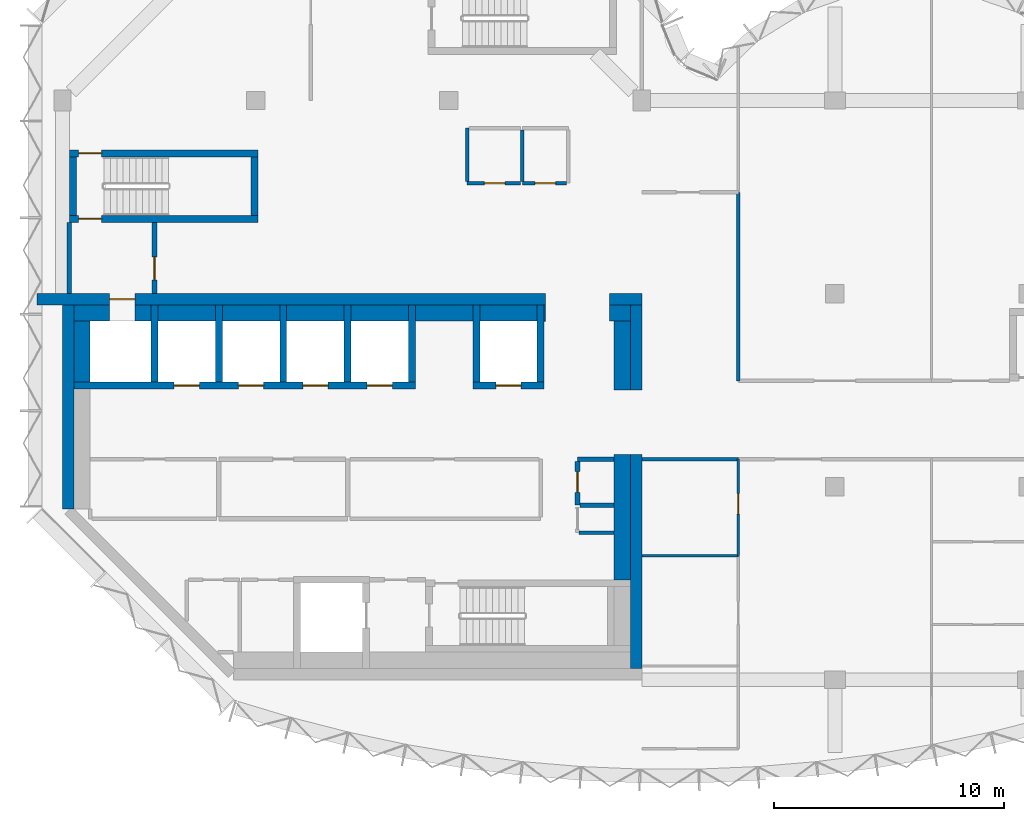
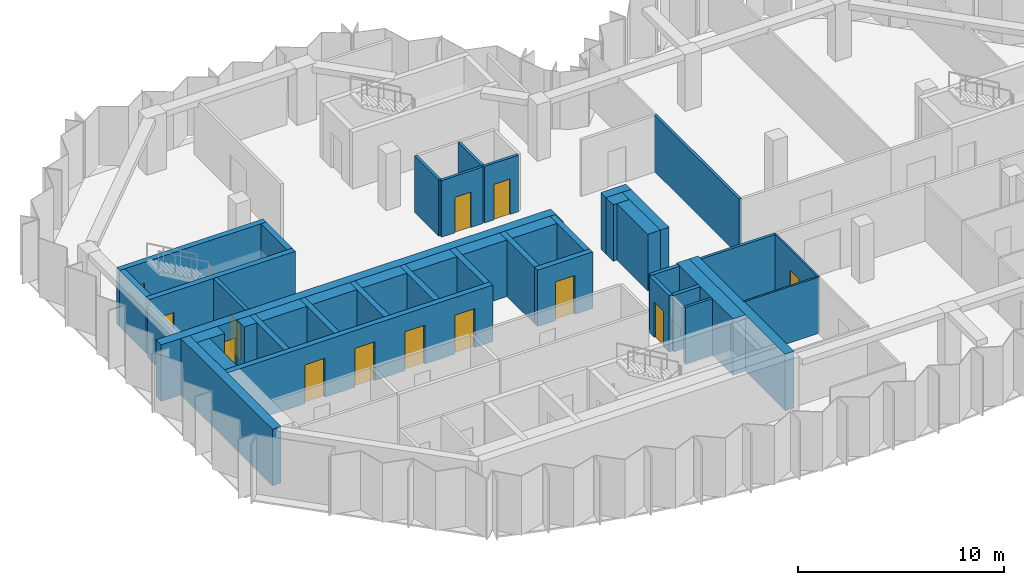
# One storey, part 5 of 9: 45 walls, 13 doors, 13 openings.
"""IFC4 building model written with IfcOpenShell, lengths in metres."""

from ifc_helpers import new_model, si_unit, direction, frame, frame_2d, origin, place, context, subcontext, project, spatial, rectangle, extrude, material, layer, layer_set, type_object, element, fill, save


model = new_model("IFC4")

# Units and contexts
model_context = context("Model", 3, precision=1e-05, world=origin(), true_north=direction((0.0, 1.0)))
body_context = subcontext(model_context, "Body", "Model", "MODEL_VIEW")
ifc_project = project(units=[si_unit("LENGTHUNIT", "METRE"), si_unit("AREAUNIT", "SQUARE_METRE"), si_unit("VOLUMEUNIT", "CUBIC_METRE"), si_unit("PLANEANGLEUNIT", "RADIAN"), si_unit("MASSUNIT", "GRAM", prefix="KILO")], contexts=[model_context])

# Site, building, storey
site_placement = place(None, origin())
site = spatial("IfcSite", under=ifc_project, at=site_placement, CompositionType="ELEMENT")
building_placement = place(site_placement, origin())
building = spatial("IfcBuilding", under=site, at=building_placement, Name="Brevane Broadcast Tower", CompositionType="ELEMENT")
storey_placement = place(building_placement, frame((0.0, 0.0, 226.5)))
storey = spatial("IfcBuildingStorey", under=building, at=storey_placement, Name="L57", CompositionType="ELEMENT", Elevation=226.5)

# Walls
ifc_material_1 = material(Name="Concrete C32/40", Category="concrete")
ifc_layer_1 = layer(ifc_material_1, 0.699951171875)
ifc_layer_set_1 = layer_set([ifc_layer_1], Name="Core chase wall 700 mm")
wall_type_1 = type_object("IfcWallType", Name="Core chase wall 700 mm", PredefinedType="PARTITIONING", material=ifc_layer_set_1)
wall_1_placement = place(storey_placement, frame((24.35009765625, 12.60009765625, 0.0), z_axis=(0.0, 0.0, 1.0), x_axis=(0.0, 1.0, 0.0)))
element("IfcWall", 1, at=wall_1_placement, inside=storey, type_object=wall_type_1, Name="L57 chase wall LE2", PredefinedType="PARTITIONING", context=body_context, shape_type="SweptSolid", body=[
    extrude(rectangle(XDim=3.0, YDim=0.699951171875, at=frame_2d((1.5, 0.0))), origin(), (0.0, 0.0, 1.0), 3.35009765625),
])
wall_2_placement = place(storey_placement, frame((0.5, 15.949951171875, 0.0), z_axis=(0.0, 0.0, 1.0), x_axis=(1.0, 0.0, 0.0)))
element("IfcWall", 2, at=wall_2_placement, inside=storey, type_object=wall_type_1, Name="L57 chase wall LN0", PredefinedType="PARTITIONING", context=body_context, shape_type="SweptSolid", body=[
    extrude(rectangle(XDim=1.550048828125, YDim=0.699951171875, at=frame_2d((0.77490234375, 0.0))), origin(), (0.0, 0.0, 1.0), 3.35009765625),
])
wall_3_placement = place(storey_placement, frame((23.800048828125, 15.949951171875, 0.0), z_axis=(0.0, 0.0, 1.0), x_axis=(1.0, 0.0, 0.0)))
element("IfcWall", 3, at=wall_3_placement, inside=storey, type_object=wall_type_1, Name="L57 chase wall LN2", PredefinedType="PARTITIONING", context=body_context, shape_type="SweptSolid", body=[
    extrude(rectangle(XDim=0.89990234375, YDim=0.699951171875, at=frame_2d((0.449951171875, 0.0))), origin(), (0.0, 0.0, 1.0), 3.35009765625),
])
wall_4_placement = place(storey_placement, frame((0.85009765625, 12.949951171875, 0.0), z_axis=(0.0, 0.0, 1.0), x_axis=(0.0, 1.0, 0.0)))
element("IfcWall", 4, at=wall_4_placement, inside=storey, type_object=wall_type_1, Name="L57 chase wall LW-2", PredefinedType="PARTITIONING", context=body_context, shape_type="SweptSolid", body=[
    extrude(rectangle(XDim=2.650146484375, YDim=0.699951171875, at=frame_2d((1.3251953125, 0.0))), origin(), (0.0, 0.0, 1.0), 3.35009765625),
])
wall_5_placement = place(storey_placement, frame((3.14990234375, 15.949951171875, 0.0), z_axis=(0.0, 0.0, 1.0), x_axis=(1.0, 0.0, 0.0)))
element("IfcWall", 5, at=wall_5_placement, inside=storey, type_object=wall_type_1, Name="L57 chase wall LN1-1", PredefinedType="PARTITIONING", context=body_context, shape_type="SweptSolid", body=[
    extrude(rectangle(XDim=0.7001953125, YDim=0.699951171875, at=frame_2d((0.35009765625, 0.0))), origin(), (0.0, 0.0, 1.0), 3.35009765625),
])
for number, where, z_axis, x_axis, name in (
    (6, (4.14990234375, 15.949951171875, 0.0), (0.0, 0.0, 1.0), (1.0, 0.0, 0.0), "L57 chase wall LN1-2-1"),
    (7, (6.949951171875, 15.949951171875, 0.0), (0.0, 0.0, 1.0), (1.0, 0.0, 0.0), "L57 chase wall LN1-2-2-1"),
    (8, (9.75, 15.949951171875, 0.0), (0.0, 0.0, 1.0), (1.0, 0.0, 0.0), "L57 chase wall LN1-2-2-2-1"),
    (9, (12.550048828125, 15.949951171875, 0.0), (0.0, 0.0, 1.0), (1.0, 0.0, 0.0), "L57 chase wall LN1-2-2-2-2-1"),
    (10, (15.35009765625, 15.949951171875, 0.0), (0.0, 0.0, 1.0), (1.0, 0.0, 0.0), "L57 chase wall LN1-2-2-2-2-2-1"),
    (11, (18.14990234375, 15.949951171875, 0.0), (0.0, 0.0, 1.0), (1.0, 0.0, 0.0), "L57 chase wall LN1-2-2-2-2-2-2-1"),
):
    element("IfcWall", number, at=place(storey_placement, frame(where, z_axis=z_axis, x_axis=x_axis)), inside=storey, type_object=wall_type_1, Name=name, PredefinedType="PARTITIONING", context=body_context, shape_type="SweptSolid", body=[
        extrude(rectangle(XDim=2.5, YDim=0.699951171875, at=frame_2d((1.25, 0.0))), origin(), (0.0, 0.0, 1.0), 3.35009765625),
    ])
wall_6_placement = place(storey_placement, frame((20.949951171875, 15.949951171875, 0.0), z_axis=(0.0, 0.0, 1.0), x_axis=(1.0, 0.0, 0.0)))
element("IfcWall", 12, at=wall_6_placement, inside=storey, type_object=wall_type_1, Name="L57 chase wall LN1-2-2-2-2-2-2-2", PredefinedType="PARTITIONING", context=body_context, shape_type="SweptSolid", body=[
    extrude(rectangle(XDim=0.050048828125, YDim=0.699951171875, at=frame_2d((0.02490234375, 0.0))), origin(), (0.0, 0.0, 1.0), 3.35009765625),
])
wall_7_placement = place(storey_placement, frame((24.35009765625, 4.35009765625, 0.0), z_axis=(0.0, 0.0, 1.0), x_axis=(0.0, 1.0, 0.0)))
element("IfcWall", 13, at=wall_7_placement, inside=storey, type_object=wall_type_1, Name="L57 chase wall LE1-2-2", PredefinedType="PARTITIONING", context=body_context, shape_type="SweptSolid", body=[
    extrude(rectangle(XDim=5.449951171875, YDim=0.699951171875, at=frame_2d((2.72509765625, 0.0))), origin(), (0.0, 0.0, 1.0), 3.35009765625),
])

# Wall, opening, door
ifc_material_2 = material(Name="Gypsum board on steel studs", Category="steel")
ifc_layer_2 = layer(ifc_material_2, 0.14990234375)
ifc_layer_set_2 = layer_set([ifc_layer_2], Name="Core fire partition 150 mm")
wall_type_2 = type_object("IfcWallType", Name="Core fire partition 150 mm", PredefinedType="PARTITIONING", material=ifc_layer_set_2)
wall_8_placement = place(storey_placement, frame((21.925048828125, 21.60009765625, 0.0), z_axis=(0.0, 0.0, 1.0), x_axis=(-1.0, 0.0, 0.0)))
wall_8 = element("IfcWall", 14, at=wall_8_placement, inside=storey, type_object=wall_type_2, Name="L57 partition wall P24", PredefinedType="PARTITIONING", context=body_context, shape_type="SweptSolid", body=[
    extrude(rectangle(XDim=1.925048828125, YDim=0.14990234375, at=frame_2d((0.96240234375, 0.0))), origin(), (0.0, 0.0, 1.0), 3.35009765625),
])
opening_1_placement = place(wall_8_placement, frame((0.47509765625, 0.0, 0.0)))
opening_1 = element("IfcOpeningElement", 15, at=opening_1_placement, cuts=wall_8, Name="Opening L57-K23", PredefinedType="OPENING", context=body_context, shape_type="SweptSolid", body=[
    extrude(rectangle(XDim=0.89990234375, YDim=2.10009765625, at=frame_2d((0.449951171875, 1.050048828125))), frame((0.0, 0.0849609375, 0.0), z_axis=(0.0, -1.0, 0.0), x_axis=(1.0, 0.0, 0.0)), (0.0, 0.0, 1.0), 0.169921875),
])
ifc_material_3 = material(Name="Timber", Category="wood")
door_type_1 = type_object("IfcDoorType", Name="Toilet door 900 x 2100", OperationType="SINGLE_SWING_LEFT", PredefinedType="DOOR", material=ifc_material_3)
door_1_placement = place(opening_1_placement, origin())
door_1 = element("IfcDoor", 16, at=door_1_placement, inside=storey, type_object=door_type_1, Name="Door L57-K23", OperationType="SINGLE_SWING_LEFT", OverallHeight=2.10009765625, OverallWidth=0.89990234375, PredefinedType="DOOR", context=body_context, shape_type="SweptSolid", body=[
    extrude(rectangle(XDim=0.89990234375, YDim=2.10009765625, at=frame_2d((0.449951171875, 1.050048828125))), frame((0.0, 0.02490234375, 0.0), z_axis=(0.0, -1.0, 0.0), x_axis=(1.0, 0.0, 0.0)), (0.0, 0.0, 1.0), 0.050048828125),
])
fill(opening_1, door_1)

# Wall
wall_9_placement = place(storey_placement, frame((20.0, 21.675048828125, 0.0), z_axis=(0.0, 0.0, 1.0), x_axis=(0.0, 1.0, 0.0)))
element("IfcWall", 17, at=wall_9_placement, inside=storey, type_object=wall_type_2, Name="L57 partition wall P25", PredefinedType="PARTITIONING", context=body_context, shape_type="SweptSolid", body=[
    extrude(rectangle(XDim=2.25, YDim=0.14990234375, at=frame_2d((1.125, 0.0))), origin(), (0.0, 0.0, 1.0), 3.35009765625),
])

# Wall, opening, door
wall_10_placement = place(storey_placement, frame((19.925048828125, 21.60009765625, 0.0), z_axis=(0.0, 0.0, 1.0), x_axis=(-1.0, 0.0, 0.0)))
wall_10 = element("IfcWall", 18, at=wall_10_placement, inside=storey, type_object=wall_type_2, Name="L57 partition wall P26", PredefinedType="PARTITIONING", context=body_context, shape_type="SweptSolid", body=[
    extrude(rectangle(XDim=2.324951171875, YDim=0.14990234375, at=frame_2d((1.16259765625, 0.0))), origin(), (0.0, 0.0, 1.0), 3.35009765625),
])
opening_2_placement = place(wall_10_placement, frame((0.675048828125, 0.0, 0.0)))
opening_2 = element("IfcOpeningElement", 19, at=opening_2_placement, cuts=wall_10, Name="Opening L57-K24", PredefinedType="OPENING", context=body_context, shape_type="SweptSolid", body=[
    extrude(rectangle(XDim=0.89990234375, YDim=2.10009765625, at=frame_2d((0.449951171875, 1.050048828125))), frame((0.0, 0.0849609375, 0.0), z_axis=(0.0, -1.0, 0.0), x_axis=(1.0, 0.0, 0.0)), (0.0, 0.0, 1.0), 0.169921875),
])
ifc_material_4 = material(Name="Steel", Category="steel")
door_type_2 = type_object("IfcDoorType", Name="Service room door 900 x 2100", OperationType="SINGLE_SWING_LEFT", PredefinedType="DOOR", material=ifc_material_4)
door_2_placement = place(opening_2_placement, origin())
door_2 = element("IfcDoor", 20, at=door_2_placement, inside=storey, type_object=door_type_2, Name="Door L57-K24", OperationType="SINGLE_SWING_RIGHT", OverallHeight=2.10009765625, OverallWidth=0.89990234375, PredefinedType="DOOR", context=body_context, shape_type="SweptSolid", body=[
    extrude(rectangle(XDim=0.89990234375, YDim=2.10009765625, at=frame_2d((0.449951171875, 1.050048828125))), frame((0.0, 0.02490234375, 0.0), z_axis=(0.0, -1.0, 0.0), x_axis=(1.0, 0.0, 0.0)), (0.0, 0.0, 1.0), 0.050048828125),
])
fill(opening_2, door_2)

# Walls
wall_11_placement = place(storey_placement, frame((17.60009765625, 21.675048828125, 0.0), z_axis=(0.0, 0.0, 1.0), x_axis=(0.0, 1.0, 0.0)))
element("IfcWall", 21, at=wall_11_placement, inside=storey, type_object=wall_type_2, Name="L57 partition wall P27", PredefinedType="PARTITIONING", context=body_context, shape_type="SweptSolid", body=[
    extrude(rectangle(XDim=2.324951171875, YDim=0.14990234375, at=frame_2d((1.16259765625, 0.0))), origin(), (0.0, 0.0, 1.0), 3.35009765625),
])
wall_12_placement = place(storey_placement, frame((22.47509765625, 6.39990234375, 0.0), z_axis=(0.0, 0.0, 1.0), x_axis=(1.0, 0.0, 0.0)))
element("IfcWall", 22, at=wall_12_placement, inside=storey, type_object=wall_type_2, Name="L57 partition wall P30", PredefinedType="PARTITIONING", context=body_context, shape_type="SweptSolid", body=[
    extrude(rectangle(XDim=1.512939453125, YDim=0.14990234375, at=frame_2d((0.75634765625, 0.0))), origin(), (0.0, 0.0, 1.0), 3.35009765625),
])
ifc_layer_3 = layer(ifc_material_2, 0.199951171875)
ifc_layer_set_3 = layer_set([ifc_layer_3], Name="Core fire partition 200 mm")
wall_type_3 = type_object("IfcWallType", Name="Core fire partition 200 mm", PredefinedType="PARTITIONING", material=ifc_layer_set_3)
wall_13_placement = place(storey_placement, frame((0.300048828125, 16.81201171875, 0.0), z_axis=(0.0, 0.0, 1.0), x_axis=(0.0, 1.0, 0.0)))
element("IfcWall", 23, at=wall_13_placement, inside=storey, type_object=wall_type_3, Name="L57 partition wall P01", PredefinedType="PARTITIONING", context=body_context, shape_type="SweptSolid", body=[
    extrude(rectangle(XDim=3.075927734375, YDim=0.199951171875, at=frame_2d((1.5380859375, 0.0))), origin(), (0.0, 0.0, 1.0), 2.97998046875),
])

# Wall, opening, door
wall_14_placement = place(storey_placement, frame((4.0, 19.887939453125, 0.0), z_axis=(0.0, 0.0, 1.0), x_axis=(0.0, -1.0, 0.0)))
wall_14 = element("IfcWall", 24, at=wall_14_placement, inside=storey, type_object=wall_type_3, Name="L57 partition wall P02", PredefinedType="PARTITIONING", context=body_context, shape_type="SweptSolid", body=[
    extrude(rectangle(XDim=3.075927734375, YDim=0.199951171875, at=frame_2d((1.5380859375, 0.0))), origin(), (0.0, 0.0, 1.0), 3.35009765625),
])
opening_3_placement = place(wall_14_placement, frame((1.488037109375, 0.0, 0.0)))
opening_3 = element("IfcOpeningElement", 25, at=opening_3_placement, cuts=wall_14, Name="Opening L57-K22", PredefinedType="OPENING", context=body_context, shape_type="SweptSolid", body=[
    extrude(rectangle(XDim=1.0, YDim=2.10009765625, at=frame_2d((0.5, 1.050048828125))), frame((0.0, 0.10986328125, 0.0), z_axis=(0.0, -1.0, 0.0), x_axis=(1.0, 0.0, 0.0)), (0.0, 0.0, 1.0), 0.219970703125),
])
door_type_3 = type_object("IfcDoorType", Name="Stair door 1000 x 2100", OperationType="SINGLE_SWING_LEFT", PredefinedType="DOOR", material=ifc_material_4)
door_3_placement = place(opening_3_placement, origin())
door_3 = element("IfcDoor", 26, at=door_3_placement, inside=storey, type_object=door_type_3, Name="Door L57-K22", OperationType="SINGLE_SWING_RIGHT", OverallHeight=2.10009765625, OverallWidth=1.0, PredefinedType="DOOR", context=body_context, shape_type="SweptSolid", body=[
    extrude(rectangle(XDim=1.0, YDim=2.10009765625, at=frame_2d((0.5, 1.050048828125))), frame((0.0, 0.02490234375, 0.0), z_axis=(0.0, -1.0, 0.0), x_axis=(1.0, 0.0, 0.0)), (0.0, 0.0, 1.0), 0.050048828125),
])
fill(opening_3, door_3)

# Wall
wall_15_placement = place(storey_placement, frame((23.988037109375, 9.60009765625, 0.0), z_axis=(0.0, 0.0, 1.0), x_axis=(-1.0, 0.0, 0.0)))
element("IfcWall", 27, at=wall_15_placement, inside=storey, type_object=wall_type_3, Name="L57 partition wall P04", PredefinedType="PARTITIONING", context=body_context, shape_type="SweptSolid", body=[
    extrude(rectangle(XDim=1.588134765625, YDim=0.199951171875, at=frame_2d((0.7939453125, 0.0))), origin(), (0.0, 0.0, 1.0), 3.35009765625),
])

# Wall, opening, door
wall_16_placement = place(storey_placement, frame((22.39990234375, 9.5, 0.0), z_axis=(0.0, 0.0, 1.0), x_axis=(0.0, -1.0, 0.0)))
wall_16 = element("IfcWall", 28, at=wall_16_placement, inside=storey, type_object=wall_type_3, Name="L57 partition wall P05", PredefinedType="PARTITIONING", context=body_context, shape_type="SweptSolid", body=[
    extrude(rectangle(XDim=1.89990234375, YDim=0.199951171875, at=frame_2d((0.949951171875, 0.0))), origin(), (0.0, 0.0, 1.0), 3.35009765625),
])
opening_4_placement = place(wall_16_placement, frame((0.449951171875, 0.0, 0.0)))
opening_4 = element("IfcOpeningElement", 29, at=opening_4_placement, cuts=wall_16, Name="Opening L57-K18", PredefinedType="OPENING", context=body_context, shape_type="SweptSolid", body=[
    extrude(rectangle(XDim=0.89990234375, YDim=2.10009765625, at=frame_2d((0.449951171875, 1.050048828125))), frame((0.0, 0.10986328125, 0.0), z_axis=(0.0, -1.0, 0.0), x_axis=(1.0, 0.0, 0.0)), (0.0, 0.0, 1.0), 0.219970703125),
])
door_4_placement = place(opening_4_placement, origin())
door_4 = element("IfcDoor", 30, at=door_4_placement, inside=storey, type_object=door_type_2, Name="Door L57-K18", OperationType="SINGLE_SWING_RIGHT", OverallHeight=2.10009765625, OverallWidth=0.89990234375, PredefinedType="DOOR", context=body_context, shape_type="SweptSolid", body=[
    extrude(rectangle(XDim=0.89990234375, YDim=2.10009765625, at=frame_2d((0.449951171875, 1.050048828125))), frame((0.0, 0.02490234375, 0.0), z_axis=(0.0, -1.0, 0.0), x_axis=(1.0, 0.0, 0.0)), (0.0, 0.0, 1.0), 0.050048828125),
])
fill(opening_4, door_4)

# Wall
wall_17_placement = place(storey_placement, frame((22.5, 7.60009765625, 0.0), z_axis=(0.0, 0.0, 1.0), x_axis=(1.0, 0.0, 0.0)))
element("IfcWall", 31, at=wall_17_placement, inside=storey, type_object=wall_type_3, Name="L57 partition wall P06", PredefinedType="PARTITIONING", context=body_context, shape_type="SweptSolid", body=[
    extrude(rectangle(XDim=1.488037109375, YDim=0.199951171875, at=frame_2d((0.744140625, 0.0))), origin(), (0.0, 0.0, 1.0), 3.35009765625),
])

# Wall, openings, doors
ifc_material_5 = material(Name="Concrete C50/60", Category="concrete")
ifc_layer_4 = layer(ifc_material_5, 0.300048828125)
ifc_layer_set_4 = layer_set([ifc_layer_4], Name="Core wall 300 mm C50/60")
wall_type_4 = type_object("IfcWallType", Name="Core wall 300 mm C50/60", PredefinedType="SHEAR", material=ifc_layer_set_4)
wall_18_placement = place(storey_placement, frame((0.5, 12.800048828125, 0.0), z_axis=(0.0, 0.0, 1.0), x_axis=(1.0, 0.0, 0.0)))
wall_18 = element("IfcWall", 32, at=wall_18_placement, inside=storey, type_object=wall_type_4, Name="L57 shaft wall SH-N012-front", PredefinedType="SHEAR", context=body_context, shape_type="SweptSolid", body=[
    extrude(rectangle(XDim=14.85009765625, YDim=0.300048828125, at=frame_2d((7.425048828125, 0.0))), origin(), (0.0, 0.0, 1.0), 3.35009765625),
])
opening_5_placement = place(wall_18_placement, frame((4.35009765625, 0.0, 0.0)))
opening_5 = element("IfcOpeningElement", 33, at=opening_5_placement, cuts=wall_18, Name="Opening LD", PredefinedType="OPENING", context=body_context, shape_type="SweptSolid", body=[
    extrude(rectangle(XDim=1.10009765625, YDim=2.300048828125, at=frame_2d((0.550048828125, 1.14990234375))), frame((0.0, 0.159912109375, 0.0), z_axis=(0.0, -1.0, 0.0), x_axis=(1.0, 0.0, 0.0)), (0.0, 0.0, 1.0), 0.320068359375),
])
opening_6_placement = place(wall_18_placement, frame((7.14990234375, 0.0, 0.0)))
opening_6 = element("IfcOpeningElement", 34, at=opening_6_placement, cuts=wall_18, Name="Opening LD", PredefinedType="OPENING", context=body_context, shape_type="SweptSolid", body=[
    extrude(rectangle(XDim=1.10009765625, YDim=2.300048828125, at=frame_2d((0.550048828125, 1.14990234375))), frame((0.0, 0.159912109375, 0.0), z_axis=(0.0, -1.0, 0.0), x_axis=(1.0, 0.0, 0.0)), (0.0, 0.0, 1.0), 0.320068359375),
])
opening_7_placement = place(wall_18_placement, frame((9.949951171875, 0.0, 0.0)))
opening_7 = element("IfcOpeningElement", 35, at=opening_7_placement, cuts=wall_18, Name="Opening LD", PredefinedType="OPENING", context=body_context, shape_type="SweptSolid", body=[
    extrude(rectangle(XDim=1.10009765625, YDim=2.300048828125, at=frame_2d((0.550048828125, 1.14990234375))), frame((0.0, 0.159912109375, 0.0), z_axis=(0.0, -1.0, 0.0), x_axis=(1.0, 0.0, 0.0)), (0.0, 0.0, 1.0), 0.320068359375),
])
opening_8_placement = place(wall_18_placement, frame((12.75, 0.0, 0.0)))
opening_8 = element("IfcOpeningElement", 36, at=opening_8_placement, cuts=wall_18, Name="Opening LD", PredefinedType="OPENING", context=body_context, shape_type="SweptSolid", body=[
    extrude(rectangle(XDim=1.10009765625, YDim=2.300048828125, at=frame_2d((0.550048828125, 1.14990234375))), frame((0.0, 0.159912109375, 0.0), z_axis=(0.0, -1.0, 0.0), x_axis=(1.0, 0.0, 0.0)), (0.0, 0.0, 1.0), 0.320068359375),
])
ifc_material_6 = material(Name="Stainless steel", Category="steel")
door_type_4 = type_object("IfcDoorType", Name="Lift landing door", OperationType="SLIDING_TO_LEFT", PredefinedType="DOOR", material=ifc_material_6)
door_5_placement = place(opening_5_placement, origin())
door_5 = element("IfcDoor", 37, at=door_5_placement, inside=storey, type_object=door_type_4, Name="Landing door HR1 L57", OperationType="SLIDING_TO_LEFT", OverallHeight=2.300048828125, OverallWidth=1.10009765625, PredefinedType="DOOR", context=body_context, shape_type="SweptSolid", body=[
    extrude(rectangle(XDim=1.10009765625, YDim=2.300048828125, at=frame_2d((0.550048828125, 1.14990234375))), frame((0.0, 0.02490234375, 0.0), z_axis=(0.0, -1.0, 0.0), x_axis=(1.0, 0.0, 0.0)), (0.0, 0.0, 1.0), 0.050048828125),
])
fill(opening_5, door_5)
door_6_placement = place(opening_6_placement, origin())
door_6 = element("IfcDoor", 38, at=door_6_placement, inside=storey, type_object=door_type_4, Name="Landing door HR2 L57", OperationType="SLIDING_TO_LEFT", OverallHeight=2.300048828125, OverallWidth=1.10009765625, PredefinedType="DOOR", context=body_context, shape_type="SweptSolid", body=[
    extrude(rectangle(XDim=1.10009765625, YDim=2.300048828125, at=frame_2d((0.550048828125, 1.14990234375))), frame((0.0, 0.02490234375, 0.0), z_axis=(0.0, -1.0, 0.0), x_axis=(1.0, 0.0, 0.0)), (0.0, 0.0, 1.0), 0.050048828125),
])
fill(opening_6, door_6)
door_7_placement = place(opening_7_placement, origin())
door_7 = element("IfcDoor", 39, at=door_7_placement, inside=storey, type_object=door_type_4, Name="Landing door HR3 L57", OperationType="SLIDING_TO_LEFT", OverallHeight=2.300048828125, OverallWidth=1.10009765625, PredefinedType="DOOR", context=body_context, shape_type="SweptSolid", body=[
    extrude(rectangle(XDim=1.10009765625, YDim=2.300048828125, at=frame_2d((0.550048828125, 1.14990234375))), frame((0.0, 0.02490234375, 0.0), z_axis=(0.0, -1.0, 0.0), x_axis=(1.0, 0.0, 0.0)), (0.0, 0.0, 1.0), 0.050048828125),
])
fill(opening_7, door_7)
door_8_placement = place(opening_8_placement, origin())
door_8 = element("IfcDoor", 40, at=door_8_placement, inside=storey, type_object=door_type_4, Name="Landing door HR4 L57", OperationType="SLIDING_TO_LEFT", OverallHeight=2.300048828125, OverallWidth=1.10009765625, PredefinedType="DOOR", context=body_context, shape_type="SweptSolid", body=[
    extrude(rectangle(XDim=1.10009765625, YDim=2.300048828125, at=frame_2d((0.550048828125, 1.14990234375))), frame((0.0, 0.02490234375, 0.0), z_axis=(0.0, -1.0, 0.0), x_axis=(1.0, 0.0, 0.0)), (0.0, 0.0, 1.0), 0.050048828125),
])
fill(opening_8, door_8)

# Walls
for number, where, z_axis, x_axis, name in (
    (41, (4.0, 12.949951171875, 0.0), (0.0, 0.0, 1.0), (0.0, 1.0, 0.0), "L57 shaft wall SH-N-P040"),
    (42, (6.800048828125, 12.949951171875, 0.0), (0.0, 0.0, 1.0), (0.0, 1.0, 0.0), "L57 shaft wall SH-N-P068"),
    (43, (9.60009765625, 12.949951171875, 0.0), (0.0, 0.0, 1.0), (0.0, 1.0, 0.0), "L57 shaft wall SH-N-P096"),
    (44, (12.39990234375, 12.949951171875, 0.0), (0.0, 0.0, 1.0), (0.0, 1.0, 0.0), "L57 shaft wall SH-N-P124"),
    (45, (15.199951171875, 12.949951171875, 0.0), (0.0, 0.0, 1.0), (0.0, 1.0, 0.0), "L57 shaft wall SH-N-P152"),
):
    element("IfcWall", number, at=place(storey_placement, frame(where, z_axis=z_axis, x_axis=x_axis)), inside=storey, type_object=wall_type_4, Name=name, PredefinedType="SHEAR", context=body_context, shape_type="SweptSolid", body=[
        extrude(rectangle(XDim=3.35009765625, YDim=0.300048828125, at=frame_2d((1.675048828125, 0.0))), origin(), (0.0, 0.0, 1.0), 3.35009765625),
    ])

# Wall, opening, door
wall_19_placement = place(storey_placement, frame((17.85009765625, 12.800048828125, 0.0), z_axis=(0.0, 0.0, 1.0), x_axis=(1.0, 0.0, 0.0)))
wall_19 = element("IfcWall", 46, at=wall_19_placement, inside=storey, type_object=wall_type_4, Name="L57 shaft wall SH-N180-front", PredefinedType="SHEAR", context=body_context, shape_type="SweptSolid", body=[
    extrude(rectangle(XDim=3.099853515625, YDim=0.300048828125, at=frame_2d((1.5498046875, 0.0))), origin(), (0.0, 0.0, 1.0), 3.35009765625),
])
opening_9_placement = place(wall_19_placement, frame((1.0, 0.0, 0.0)))
opening_9 = element("IfcOpeningElement", 47, at=opening_9_placement, cuts=wall_19, Name="Opening LD", PredefinedType="OPENING", context=body_context, shape_type="SweptSolid", body=[
    extrude(rectangle(XDim=1.10009765625, YDim=2.300048828125, at=frame_2d((0.550048828125, 1.14990234375))), frame((0.0, 0.159912109375, 0.0), z_axis=(0.0, -1.0, 0.0), x_axis=(1.0, 0.0, 0.0)), (0.0, 0.0, 1.0), 0.320068359375),
])
door_9_placement = place(opening_9_placement, origin())
door_9 = element("IfcDoor", 48, at=door_9_placement, inside=storey, type_object=door_type_4, Name="Landing door SL1 L57", OperationType="SLIDING_TO_LEFT", OverallHeight=2.300048828125, OverallWidth=1.10009765625, PredefinedType="DOOR", context=body_context, shape_type="SweptSolid", body=[
    extrude(rectangle(XDim=1.10009765625, YDim=2.300048828125, at=frame_2d((0.550048828125, 1.14990234375))), frame((0.0, 0.02490234375, 0.0), z_axis=(0.0, -1.0, 0.0), x_axis=(1.0, 0.0, 0.0)), (0.0, 0.0, 1.0), 0.050048828125),
])
fill(opening_9, door_9)

# Walls
for number, where, z_axis, x_axis, name in (
    (49, (18.0, 12.949951171875, 0.0), (0.0, 0.0, 1.0), (0.0, 1.0, 0.0), "L57 shaft wall SH-N-P180"),
    (50, (20.800048828125, 12.949951171875, 0.0), (0.0, 0.0, 1.0), (0.0, 1.0, 0.0), "L57 shaft wall SH-N-P208"),
):
    element("IfcWall", number, at=place(storey_placement, frame(where, z_axis=z_axis, x_axis=x_axis)), inside=storey, type_object=wall_type_4, Name=name, PredefinedType="SHEAR", context=body_context, shape_type="SweptSolid", body=[
        extrude(rectangle(XDim=3.35009765625, YDim=0.300048828125, at=frame_2d((1.675048828125, 0.0))), origin(), (0.0, 0.0, 1.0), 3.35009765625),
    ])

# Wall, opening, door
wall_20_placement = place(storey_placement, frame((8.5, 20.050048828125, 0.0), z_axis=(0.0, 0.0, 1.0), x_axis=(-1.0, 0.0, 0.0)))
wall_20 = element("IfcWall", 51, at=wall_20_placement, inside=storey, type_object=wall_type_4, Name="L57 stair wall ST-1-S", PredefinedType="SHEAR", context=body_context, shape_type="SweptSolid", body=[
    extrude(rectangle(XDim=8.199951171875, YDim=0.300048828125, at=frame_2d((4.10009765625, 0.0))), origin(), (0.0, 0.0, 1.0), 3.35009765625),
])
opening_10_placement = place(wall_20_placement, frame((6.800048828125, 0.0, 0.0)))
opening_10 = element("IfcOpeningElement", 52, at=opening_10_placement, cuts=wall_20, Name="Opening L57-K08", PredefinedType="OPENING", context=body_context, shape_type="SweptSolid", body=[
    extrude(rectangle(XDim=1.0, YDim=2.10009765625, at=frame_2d((0.5, 1.050048828125))), frame((0.0, 0.159912109375, 0.0), z_axis=(0.0, -1.0, 0.0), x_axis=(1.0, 0.0, 0.0)), (0.0, 0.0, 1.0), 0.320068359375),
])
door_10_placement = place(opening_10_placement, origin())
door_10 = element("IfcDoor", 53, at=door_10_placement, inside=storey, type_object=door_type_3, Name="Door L57-K08", OperationType="SINGLE_SWING_RIGHT", OverallHeight=2.10009765625, OverallWidth=1.0, PredefinedType="DOOR", context=body_context, shape_type="SweptSolid", body=[
    extrude(rectangle(XDim=1.0, YDim=2.10009765625, at=frame_2d((0.5, 1.050048828125))), frame((0.0, 0.02490234375, 0.0), z_axis=(0.0, -1.0, 0.0), x_axis=(1.0, 0.0, 0.0)), (0.0, 0.0, 1.0), 0.050048828125),
])
fill(opening_10, door_10)

wall_21_placement = place(storey_placement, frame((0.300048828125, 22.89990234375, 0.0), z_axis=(0.0, 0.0, 1.0), x_axis=(1.0, 0.0, 0.0)))
wall_21 = element("IfcWall", 54, at=wall_21_placement, inside=storey, type_object=wall_type_4, Name="L57 stair wall ST-1-N", PredefinedType="SHEAR", context=body_context, shape_type="SweptSolid", body=[
    extrude(rectangle(XDim=8.199951171875, YDim=0.300048828125, at=frame_2d((4.10009765625, 0.0))), origin(), (0.0, 0.0, 1.0), 3.35009765625),
])
opening_11_placement = place(wall_21_placement, frame((0.39990234375, 0.0, 0.0)))
opening_11 = element("IfcOpeningElement", 55, at=opening_11_placement, cuts=wall_21, Name="Opening L57-K09", PredefinedType="OPENING", context=body_context, shape_type="SweptSolid", body=[
    extrude(rectangle(XDim=1.0, YDim=2.10009765625, at=frame_2d((0.5, 1.050048828125))), frame((0.0, 0.159912109375, 0.0), z_axis=(0.0, -1.0, 0.0), x_axis=(1.0, 0.0, 0.0)), (0.0, 0.0, 1.0), 0.320068359375),
])
door_11_placement = place(opening_11_placement, origin())
door_11 = element("IfcDoor", 56, at=door_11_placement, inside=storey, type_object=door_type_3, Name="Door L57-K09", OperationType="SINGLE_SWING_LEFT", OverallHeight=2.10009765625, OverallWidth=1.0, PredefinedType="DOOR", context=body_context, shape_type="SweptSolid", body=[
    extrude(rectangle(XDim=1.0, YDim=2.10009765625, at=frame_2d((0.5, 1.050048828125))), frame((0.0, 0.02490234375, 0.0), z_axis=(0.0, -1.0, 0.0), x_axis=(1.0, 0.0, 0.0)), (0.0, 0.0, 1.0), 0.050048828125),
])
fill(opening_11, door_11)

# Walls
for number, where, z_axis, x_axis, name in (
    (57, (0.449951171875, 20.199951171875, 0.0), (0.0, 0.0, 1.0), (0.0, 1.0, 0.0), "L57 stair wall ST-1-W"),
    (58, (8.35009765625, 20.199951171875, 0.0), (0.0, 0.0, 1.0), (0.0, 1.0, 0.0), "L57 stair wall ST-1-E"),
):
    element("IfcWall", number, at=place(storey_placement, frame(where, z_axis=z_axis, x_axis=x_axis)), inside=storey, type_object=wall_type_4, Name=name, PredefinedType="SHEAR", context=body_context, shape_type="SweptSolid", body=[
        extrude(rectangle(XDim=2.550048828125, YDim=0.300048828125, at=frame_2d((1.27490234375, 0.0))), origin(), (0.0, 0.0, 1.0), 3.35009765625),
    ])

# Wall, opening, door
ifc_layer_5 = layer(ifc_material_5, 0.5)
ifc_layer_set_5 = layer_set([ifc_layer_5], Name="Core wall 500 mm C50/60")
wall_type_5 = type_object("IfcWallType", Name="Core wall 500 mm C50/60", PredefinedType="SHEAR", material=ifc_layer_set_5)
wall_22_placement = place(storey_placement, frame((-1.10009765625, 16.550048828125, 0.0), z_axis=(0.0, 0.0, 1.0), x_axis=(1.0, 0.0, 0.0)))
wall_22 = element("IfcWall", 59, at=wall_22_placement, inside=storey, type_object=wall_type_5, Name="L57 outer wall WN1", PredefinedType="SHEAR", context=body_context, shape_type="SweptSolid", body=[
    extrude(rectangle(XDim=22.10009765625, YDim=0.5, at=frame_2d((11.050048828125, 0.0))), origin(), (0.0, 0.0, 1.0), 3.35009765625),
])
opening_12_placement = place(wall_22_placement, frame((3.14990234375, 0.0, 0.0)))
opening_12 = element("IfcOpeningElement", 60, at=opening_12_placement, cuts=wall_22, Name="Opening LD", PredefinedType="OPENING", context=body_context, shape_type="SweptSolid", body=[
    extrude(rectangle(XDim=1.10009765625, YDim=2.300048828125, at=frame_2d((0.550048828125, 1.14990234375))), frame((0.0, 0.260009765625, 0.0), z_axis=(0.0, -1.0, 0.0), x_axis=(1.0, 0.0, 0.0)), (0.0, 0.0, 1.0), 0.52001953125),
])
door_12_placement = place(opening_12_placement, origin())
door_12 = element("IfcDoor", 61, at=door_12_placement, inside=storey, type_object=door_type_4, Name="Landing door FF1 L57", OperationType="SLIDING_TO_LEFT", OverallHeight=2.300048828125, OverallWidth=1.10009765625, PredefinedType="DOOR", context=body_context, shape_type="SweptSolid", body=[
    extrude(rectangle(XDim=1.10009765625, YDim=2.300048828125, at=frame_2d((0.550048828125, 1.14990234375))), frame((0.0, 0.02490234375, 0.0), z_axis=(0.0, -1.0, 0.0), x_axis=(1.0, 0.0, 0.0)), (0.0, 0.0, 1.0), 0.050048828125),
])
fill(opening_12, door_12)

# Walls
wall_23_placement = place(storey_placement, frame((23.800048828125, 16.550048828125, 0.0), z_axis=(0.0, 0.0, 1.0), x_axis=(1.0, 0.0, 0.0)))
element("IfcWall", 62, at=wall_23_placement, inside=storey, type_object=wall_type_5, Name="L57 outer wall WN2", PredefinedType="SHEAR", context=body_context, shape_type="SweptSolid", body=[
    extrude(rectangle(XDim=1.39990234375, YDim=0.5, at=frame_2d((0.699951171875, 0.0))), origin(), (0.0, 0.0, 1.0), 3.35009765625),
])
wall_24_placement = place(storey_placement, frame((0.25, 7.436279296875, 0.0), z_axis=(0.0, 0.0, 1.0), x_axis=(0.0, 1.0, 0.0)))
element("IfcWall", 63, at=wall_24_placement, inside=storey, type_object=wall_type_5, Name="L57 outer wall WW", PredefinedType="SHEAR", context=body_context, shape_type="SweptSolid", body=[
    extrude(rectangle(XDim=8.86376953125, YDim=0.5, at=frame_2d((4.431884765625, 0.0))), origin(), (0.0, 0.0, 1.0), 3.35009765625),
])
wall_25_placement = place(storey_placement, frame((24.949951171875, 0.5, 0.0), z_axis=(0.0, 0.0, 1.0), x_axis=(0.0, 1.0, 0.0)))
element("IfcWall", 64, at=wall_25_placement, inside=storey, type_object=wall_type_5, Name="L57 outer wall WE1", PredefinedType="SHEAR", context=body_context, shape_type="SweptSolid", body=[
    extrude(rectangle(XDim=9.300048828125, YDim=0.5, at=frame_2d((4.64990234375, 0.0))), origin(), (0.0, 0.0, 1.0), 3.35009765625),
])
wall_26_placement = place(storey_placement, frame((24.949951171875, 12.60009765625, 0.0), z_axis=(0.0, 0.0, 1.0), x_axis=(0.0, 1.0, 0.0)))
element("IfcWall", 65, at=wall_26_placement, inside=storey, type_object=wall_type_5, Name="L57 outer wall WE2", PredefinedType="SHEAR", context=body_context, shape_type="SweptSolid", body=[
    extrude(rectangle(XDim=3.699951171875, YDim=0.5, at=frame_2d((1.85009765625, 0.0))), origin(), (0.0, 0.0, 1.0), 3.35009765625),
])

# Wall, opening, door
ifc_material_7 = material(Name="Gypsum board partition")
ifc_layer_6 = layer(ifc_material_7, 0.10009765625)
ifc_layer_set_6 = layer_set([ifc_layer_6], Name="PARTITION 100 STUD")
wall_type_6 = type_object("IfcWallType", Name="PARTITION 100 STUD", PredefinedType="PARTITIONING", material=ifc_layer_set_6)
wall_27_placement = place(storey_placement, frame((29.39990234375, 5.39990234375, 0.0), z_axis=(0.0, 0.0, 1.0), x_axis=(0.0, 1.0, 0.0)))
wall_27 = element("IfcWall", 66, at=wall_27_placement, inside=storey, type_object=wall_type_6, Name="Partition G17-020", PredefinedType="PARTITIONING", context=body_context, shape_type="SweptSolid", body=[
    extrude(rectangle(XDim=4.2001953125, YDim=0.10009765625, at=frame_2d((2.10009765625, 0.0))), origin(), (0.0, 0.0, 1.0), 3.330078125),
])
opening_13_placement = place(wall_27_placement, frame((1.800048828125, 0.0, 0.0)))
opening_13 = element("IfcOpeningElement", 67, at=opening_13_placement, cuts=wall_27, Name="Opening D28-009", PredefinedType="OPENING", context=body_context, shape_type="SweptSolid", body=[
    extrude(rectangle(XDim=0.89990234375, YDim=2.10009765625, at=frame_2d((0.449951171875, 1.050048828125))), frame((0.0, 0.06005859375, 0.0), z_axis=(0.0, -1.0, 0.0), x_axis=(1.0, 0.0, 0.0)), (0.0, 0.0, 1.0), 0.1201171875),
])
ifc_material_8 = material(Name="Timber door leaf", Category="wood")
door_type_5 = type_object("IfcDoorType", Name="DOOR SINGLE 900 INTERNAL", OperationType="SINGLE_SWING_LEFT", PredefinedType="DOOR", material=ifc_material_8)
door_13_placement = place(opening_13_placement, origin())
door_13 = element("IfcDoor", 68, at=door_13_placement, inside=storey, type_object=door_type_5, Name="Door D28-009", OperationType="SINGLE_SWING_LEFT", OverallHeight=2.10009765625, OverallWidth=0.89990234375, PredefinedType="DOOR", context=body_context, shape_type="SweptSolid", body=[
    extrude(rectangle(XDim=0.89990234375, YDim=2.10009765625, at=frame_2d((0.449951171875, 1.050048828125))), frame((0.0, 0.02490234375, 0.0), z_axis=(0.0, -1.0, 0.0), x_axis=(1.0, 0.0, 0.0)), (0.0, 0.0, 1.0), 0.050048828125),
])
fill(opening_13, door_13)

# Walls
wall_28_placement = place(storey_placement, frame((25.199951171875, 5.39990234375, 0.0), z_axis=(0.0, 0.0, 1.0), x_axis=(1.0, 0.0, 0.0)))
element("IfcWall", 69, at=wall_28_placement, inside=storey, type_object=wall_type_6, Name="Partition G17-029", PredefinedType="PARTITIONING", context=body_context, shape_type="SweptSolid", body=[
    extrude(rectangle(XDim=4.199951171875, YDim=0.10009765625, at=frame_2d((2.10009765625, 0.0))), origin(), (0.0, 0.0, 1.0), 3.330078125),
])
ifc_layer_7 = layer(ifc_material_7, 0.14990234375)
ifc_layer_set_7 = layer_set([ifc_layer_7], Name="PARTITION 150 EI 60")
wall_type_7 = type_object("IfcWallType", Name="PARTITION 150 EI 60", PredefinedType="PARTITIONING", material=ifc_layer_set_7)
wall_29_placement = place(storey_placement, frame((29.39990234375, 9.60009765625, 0.0), z_axis=(0.0, 0.0, 1.0), x_axis=(-1.0, 0.0, 0.0)))
element("IfcWall", 70, at=wall_29_placement, inside=storey, type_object=wall_type_7, Name="Partition G17-002", PredefinedType="PARTITIONING", context=body_context, shape_type="SweptSolid", body=[
    extrude(rectangle(XDim=4.199951171875, YDim=0.14990234375, at=frame_2d((2.10009765625, 0.0))), origin(), (0.0, 0.0, 1.0), 3.330078125),
])
wall_30_placement = place(storey_placement, frame((29.39990234375, 21.199951171875, 0.0), z_axis=(0.0, 0.0, 1.0), x_axis=(0.0, -1.0, 0.0)))
element("IfcWall", 71, at=wall_30_placement, inside=storey, type_object=wall_type_7, Name="Partition G17-003", PredefinedType="PARTITIONING", context=body_context, shape_type="SweptSolid", body=[
    extrude(rectangle(XDim=8.199951171875, YDim=0.14990234375, at=frame_2d((4.10009765625, 0.0))), origin(), (0.0, 0.0, 1.0), 3.330078125),
])

save(model, "model.ifc")
